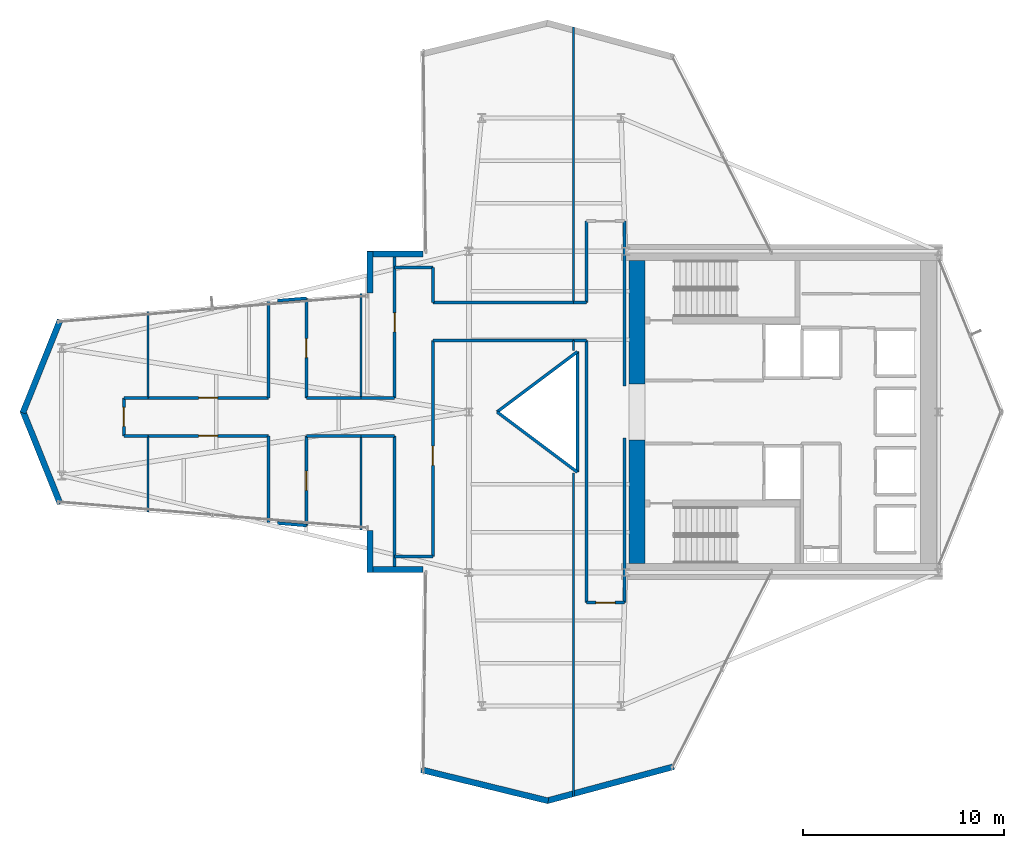
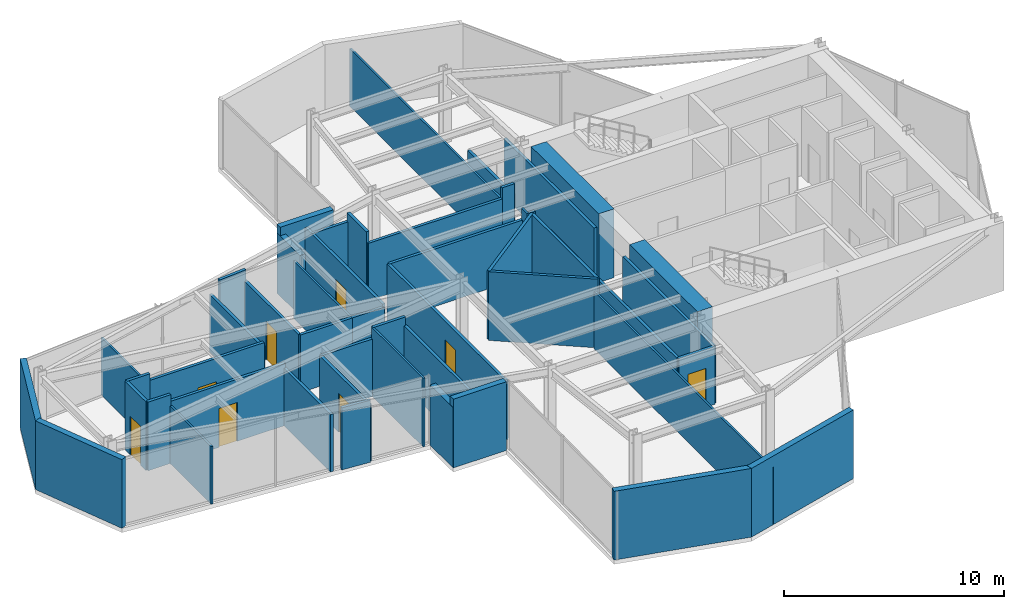
# One storey, part 23 of 26: 50 walls, 8 doors, 8 openings.
"""IFC4 building model written with IfcOpenShell, lengths in metres."""

import ifcopenshell
import ifcopenshell.guid

model = None  # the IFC model being written
_history = None  # IfcOwnerHistory: only IFC2X3 demands one
_inside = {}  # id of a spatial element -> (the spatial element, [elements in it])
_under = {}  # id of a project, library or spatial element -> (it, [spatial elements below it])
_declared = {}  # id of a project -> (the project, [libraries it declares])
_typed = {}  # id of a type object -> (the type object, [elements of that type])
_made_of = {}  # id of a material, layer set ... -> (it, [elements and type objects made of it])


def new_model(schema):
    """Start an empty IFC model of exactly this schema.

    Asked for "IFC4X3", IfcOpenShell would pick the latest addendum, in which some entities
    have other attributes; the version numbers below select the first issue.
    IFC2X3 requires an IfcOwnerHistory on every rooted entity: one is made here for all.
    """
    global model, _history
    if schema == "IFC4X3":
        model = ifcopenshell.file(schema_version=(4, 3, 0, 0))
    else:
        model = ifcopenshell.file(schema=schema)
    _inside.clear()
    _under.clear()
    _declared.clear()
    _typed.clear()
    _made_of.clear()
    _history = None
    if model.schema == "IFC2X3":
        org = make("IfcOrganization", Name="unknown")
        user = make(
            "IfcPersonAndOrganization",
            ThePerson=make("IfcPerson", FamilyName="unknown"),
            TheOrganization=org,
        )
        app = make(
            "IfcApplication",
            ApplicationDeveloper=org,
            Version="unknown",
            ApplicationFullName="unknown",
            ApplicationIdentifier="unknown",
        )
        _history = make(
            "IfcOwnerHistory",
            OwningUser=user,
            OwningApplication=app,
            ChangeAction="ADDED",
            CreationDate=0,
        )
    return model


def make(cls, **values):
    """One entity of the class cls with the attributes given. An attribute that is None is left unset."""
    return model.create_entity(
        cls, **{name: value for name, value in values.items() if value is not None}
    )


def rooted(cls, **values):
    """An entity with a GlobalId (a new one), such as an element, a storey or a relation."""
    return make(cls, GlobalId=ifcopenshell.guid.new(), OwnerHistory=_history, **values)


def si_unit(unit_type, name, prefix=None):
    """IfcSIUnit, for example si_unit("LENGTHUNIT", "METRE", prefix="MILLI")."""
    return make("IfcSIUnit", UnitType=unit_type, Prefix=prefix, Name=name)


def assignment(units):
    """IfcUnitAssignment: the units of a project."""
    return None if units is None else make("IfcUnitAssignment", Units=units)


def point(xyz):
    """IfcCartesianPoint."""
    return None if xyz is None else make("IfcCartesianPoint", Coordinates=xyz)


def direction(xyz):
    """IfcDirection."""
    return None if xyz is None else make("IfcDirection", DirectionRatios=xyz)


def frame(location, z_axis=None, x_axis=None):
    """IfcAxis2Placement3D, a coordinate frame: its origin and axes. An axis left out is left unset."""
    return make(
        "IfcAxis2Placement3D",
        Location=point(location),
        Axis=direction(z_axis),
        RefDirection=direction(x_axis),
    )


def frame_2d(location, x_axis=None):
    """IfcAxis2Placement2D, a coordinate frame in the plane: its origin and x axis."""
    return make(
        "IfcAxis2Placement2D", Location=point(location), RefDirection=direction(x_axis)
    )


def origin():
    """The frame at (0, 0, 0) with its axes left unset."""
    return frame((0.0, 0.0, 0.0))


def place(relative_to, where):
    """IfcLocalPlacement: puts the frame where relative to a parent placement (None: the world)."""
    return make(
        "IfcLocalPlacement", PlacementRelTo=relative_to, RelativePlacement=where
    )


def context(
    kind, dimensions, precision=None, world=None, true_north=None, identifier=None
):
    """IfcGeometricRepresentationContext, for example the 3D "Model" context."""
    return make(
        "IfcGeometricRepresentationContext",
        ContextIdentifier=identifier,
        ContextType=kind,
        CoordinateSpaceDimension=dimensions,
        Precision=precision,
        WorldCoordinateSystem=world,
        TrueNorth=true_north,
    )


def subcontext(parent, identifier, kind, view, scale=None):
    """IfcGeometricRepresentationSubContext, for example "Body" below "Model"."""
    return make(
        "IfcGeometricRepresentationSubContext",
        ContextIdentifier=identifier,
        ContextType=kind,
        ParentContext=parent,
        TargetScale=scale,
        TargetView=view,
    )


def project(units=None, contexts=None):
    """IfcProject with its units and contexts."""
    return rooted(
        "IfcProject",
        Name="project",
        RepresentationContexts=contexts,
        UnitsInContext=assignment(units),
    )


def spatial(cls, under=None, at=None, **own):
    """A site, building, storey or space (cls), placed at a placement, below another one or the project."""
    s = rooted(cls, ObjectPlacement=at, **own)
    if under is not None:
        _under.setdefault(under.id(), (under, []))[1].append(s)
    return s


def profile(cls, at=None, kind="AREA", **sizes):
    """A parametric profile (cls). Its sizes go by their IFC names, for example OverallWidth=200.0."""
    return make(cls, ProfileType=kind, Position=at, **sizes)


def rectangle(**sizes):
    """IfcRectangleProfileDef."""
    return profile("IfcRectangleProfileDef", **sizes)


def extrude(swept, where, along, depth):
    """IfcExtrudedAreaSolid: the profile swept, set in the frame where, extruded along a direction by depth."""
    return make(
        "IfcExtrudedAreaSolid",
        SweptArea=swept,
        Position=where,
        ExtrudedDirection=direction(along),
        Depth=depth,
    )


def shape(context_of_items, identifier, shape_type, items):
    """IfcShapeRepresentation: the items that make up one representation, for example the "Body"."""
    return make(
        "IfcShapeRepresentation",
        ContextOfItems=context_of_items,
        RepresentationIdentifier=identifier,
        RepresentationType=shape_type,
        Items=items,
    )


def material(Name=None, Category=None):
    """IfcMaterial."""
    return make("IfcMaterial", Name=Name, Category=Category)


def layer(
    of_material, thickness, ventilated=None, Name=None, Category=None, Priority=None
):
    """IfcMaterialLayer: one layer of a wall or slab, of a material (None: an air gap)."""
    return make(
        "IfcMaterialLayer",
        Material=of_material,
        LayerThickness=thickness,
        IsVentilated=ventilated,
        Name=Name,
        Category=Category,
        Priority=Priority,
    )


def layer_set(layers, Name=None):
    """IfcMaterialLayerSet."""
    return make("IfcMaterialLayerSet", MaterialLayers=layers, LayerSetName=Name)


def made_of(thing, what):
    """Note that an element or type object is made of a material, layer set ...; save() writes the relation."""
    if what is not None:
        _made_of.setdefault(what.id(), (what, []))[1].append(thing)
    return thing


def type_object(cls, material=None, **own):
    """A type object (cls), such as IfcWallType, which elements share."""
    return made_of(rooted(cls, **own), material)


def element(
    cls,
    number,
    at=None,
    inside=None,
    cuts=None,
    type_object=None,
    material=None,
    context=None,
    identifier="Body",
    shape_type=None,
    held_by="IfcProductDefinitionShape",
    body=None,
    shapes=None,
    **own,
):
    """One element of the class cls, such as IfcWall. Its Tag is "e" and its number.

    at: its placement. inside: the storey or other place that contains it. cuts: it is an
    opening in that element (IfcRelVoidsElement). A single representation is given by context,
    identifier, shape_type and body (its items); several are given by shapes. held_by: the class
    of the entity that holds the representations. save() writes the other relations.
    """
    e = rooted(cls, Tag="e%d" % number, ObjectPlacement=at, **own)
    if body is not None:
        shapes = [shape(context, identifier, shape_type, body)]
    if shapes is not None:
        e.Representation = make(held_by, Representations=shapes)
    if inside is not None:
        _inside.setdefault(inside.id(), (inside, []))[1].append(e)
    if cuts is not None:
        rooted(
            "IfcRelVoidsElement", RelatingBuildingElement=cuts, RelatedOpeningElement=e
        )
    if type_object is not None:
        _typed.setdefault(type_object.id(), (type_object, []))[1].append(e)
    return made_of(e, material)


def fill(opening, filler):
    """IfcRelFillsElement: the door or window that sits in an opening."""
    return rooted(
        "IfcRelFillsElement",
        RelatingOpeningElement=opening,
        RelatedBuildingElement=filler,
    )


def aggregate(whole, parts):
    """IfcRelAggregates: a whole, such as a stair, and the parts it consists of."""
    return rooted("IfcRelAggregates", RelatingObject=whole, RelatedObjects=parts)


def save(model, path):
    """Write the relations noted so far, then the file.

    IfcRelAggregates (storeys below a building ...), IfcRelContainedInSpatialStructure (elements
    in a storey), IfcRelDefinesByType, IfcRelAssociatesMaterial and IfcRelDeclares: one each for
    every whole, place, type object, material and project.
    """
    for whole, parts in _under.values():
        aggregate(whole, parts)
    for where, things in _inside.values():
        rooted(
            "IfcRelContainedInSpatialStructure",
            RelatedElements=things,
            RelatingStructure=where,
        )
    for kind, things in _typed.values():
        rooted("IfcRelDefinesByType", RelatedObjects=things, RelatingType=kind)
    for what, things in _made_of.values():
        rooted("IfcRelAssociatesMaterial", RelatedObjects=things, RelatingMaterial=what)
    for by, libraries in _declared.values():
        rooted("IfcRelDeclares", RelatingContext=by, RelatedDefinitions=libraries)
    model.write(path)


model = new_model("IFC4")

# Units and contexts
model_context = context("Model", 3, precision=1e-05, world=origin(), true_north=direction((0.0, 1.0)))
body_context = subcontext(model_context, "Body", "Model", "MODEL_VIEW")
ifc_project = project(units=[si_unit("LENGTHUNIT", "METRE"), si_unit("AREAUNIT", "SQUARE_METRE"), si_unit("VOLUMEUNIT", "CUBIC_METRE"), si_unit("PLANEANGLEUNIT", "RADIAN"), si_unit("MASSUNIT", "GRAM", prefix="KILO")], contexts=[model_context])

# Site, building, storey
site_placement = place(None, origin())
site = spatial("IfcSite", under=ifc_project, at=site_placement, CompositionType="ELEMENT")
building_placement = place(site_placement, origin())
building = spatial("IfcBuilding", under=site, at=building_placement, Name="Veymaron Broadcast Tower", CompositionType="ELEMENT")
storey_placement = place(building_placement, frame((0.0, 0.0, 133.050048828125)))
storey = spatial("IfcBuildingStorey", under=building, at=storey_placement, Name="L30", CompositionType="ELEMENT", Elevation=133.050048828125)

# Walls
ifc_material_1 = material(Name="Precast concrete C40/50 with mineral-wool insulation", Category="concrete")
ifc_layer_1 = layer(ifc_material_1, 0.300048828125)
ifc_layer_set_1 = layer_set([ifc_layer_1], Name="Precast concrete C40/50 with mineral-wool insulation")
wall_type_1 = type_object("IfcWallType", Name="WALL-EXT-300", PredefinedType="STANDARD", material=ifc_layer_set_1)
wall_1_placement = place(storey_placement, frame((28.910400390625, 31.860107421875, 0.0), z_axis=(0.0, 0.0, 1.0), x_axis=(-1.0, 0.0, 0.0)))
element("IfcWall", 1, at=wall_1_placement, inside=storey, type_object=wall_type_1, Name="L30 notched corner facade pier 9-1", PredefinedType="STANDARD", context=body_context, shape_type="SweptSolid", body=[
    extrude(rectangle(XDim=2.790283203125, YDim=0.300048828125, at=frame_2d((1.39501953125, 0.0))), origin(), (0.0, 0.0, 1.0), 3.81005859375),
])
wall_2_placement = place(storey_placement, frame((26.260009765625, 32.0, 0.0), z_axis=(0.0, 0.0, 1.0), x_axis=(0.0, -1.0, 0.0)))
element("IfcWall", 2, at=wall_2_placement, inside=storey, type_object=wall_type_1, Name="L30 notched corner facade pier 10-1", PredefinedType="STANDARD", context=body_context, shape_type="SweptSolid", body=[
    extrude(rectangle(XDim=2.085693359375, YDim=0.300048828125, at=frame_2d((1.04296875, 0.0))), origin(), (0.0, 0.0, 1.0), 3.337890625),
])
for number, where, z_axis, x_axis, name in (
    (3, (10.829833984375, 28.56982421875, 0.0), (0.0, 0.0, 1.0), (-0.373299289804, -0.927710968045, 0.0), "L30 notched corner facade pier 12-1"),
    (4, (8.969970703125, 24.05224609375, 0.0), (0.0, 0.0, 1.0), (0.373299289804, -0.927710968045, 0.0), "L30 notched corner facade pier 13-1"),
):
    element("IfcWall", number, at=place(storey_placement, frame(where, z_axis=z_axis, x_axis=x_axis)), inside=storey, type_object=wall_type_1, Name=name, PredefinedType="STANDARD", context=body_context, shape_type="SweptSolid", body=[
        extrude(rectangle(XDim=4.982177734375, YDim=0.300048828125, at=frame_2d((2.4912109375, 0.0))), origin(), (0.0, 0.0, 1.0), 3.81005859375),
    ])
wall_3_placement = place(storey_placement, frame((26.260009765625, 18.085693359375, 0.0), z_axis=(0.0, 0.0, 1.0), x_axis=(0.0, -1.0, 0.0)))
element("IfcWall", 5, at=wall_3_placement, inside=storey, type_object=wall_type_1, Name="L30 notched corner facade pier 15-1", PredefinedType="STANDARD", context=body_context, shape_type="SweptSolid", body=[
    extrude(rectangle(XDim=2.085693359375, YDim=0.300048828125, at=frame_2d((1.04296875, 0.0))), origin(), (0.0, 0.0, 1.0), 3.337890625),
])
wall_4_placement = place(storey_placement, frame((26.1201171875, 16.139892578125, 0.0), z_axis=(0.0, 0.0, 1.0), x_axis=(1.0, 0.0, 0.0)))
element("IfcWall", 6, at=wall_4_placement, inside=storey, type_object=wall_type_1, Name="L30 notched corner facade pier 16-1", PredefinedType="STANDARD", context=body_context, shape_type="SweptSolid", body=[
    extrude(rectangle(XDim=2.790283203125, YDim=0.300048828125, at=frame_2d((1.39501953125, 0.0))), origin(), (0.0, 0.0, 1.0), 3.81005859375),
])
wall_5_placement = place(storey_placement, frame((28.8232421875, 6.1708984375, 0.0), z_axis=(0.0, 0.0, 1.0), x_axis=(0.971267606245, -0.23798999361, 0.0)))
element("IfcWall", 7, at=wall_5_placement, inside=storey, type_object=wall_type_1, Name="L30 notched corner facade pier 18-1", PredefinedType="STANDARD", context=body_context, shape_type="SweptSolid", body=[
    extrude(rectangle(XDim=6.511962890625, YDim=0.300048828125, at=frame_2d((3.255859375, 0.0))), origin(), (0.0, 0.0, 1.0), 3.81005859375),
])
wall_6_placement = place(storey_placement, frame((35.07861328125, 4.6201171875, 0.0), z_axis=(0.0, 0.0, 1.0), x_axis=(0.965531145086, 0.260287548434, 0.0)))
element("IfcWall", 8, at=wall_6_placement, inside=storey, type_object=wall_type_1, Name="L30 notched corner facade pier 19-1", PredefinedType="STANDARD", context=body_context, shape_type="SweptSolid", body=[
    extrude(rectangle(XDim=6.55078125, YDim=0.300048828125, at=frame_2d((3.275390625, 0.0))), origin(), (0.0, 0.0, 1.0), 3.81005859375),
])

# Wall, opening, door
ifc_material_2 = material(Name="Gypsum fireboard and steel stud framing", Category="steel")
ifc_layer_2 = layer(ifc_material_2, 0.14990234375)
ifc_layer_set_2 = layer_set([ifc_layer_2], Name="Gypsum fireboard and steel stud framing")
wall_type_2 = type_object("IfcWallType", Name="WALL-FIRE-150", PredefinedType="PARTITIONING", material=ifc_layer_set_2)
wall_7_placement = place(storey_placement, frame((37.050048828125, 14.5, 0.0), z_axis=(0.0, 0.0, 1.0), x_axis=(1.0, 0.0, 0.0)))
wall_7 = element("IfcWall", 9, at=wall_7_placement, inside=storey, type_object=wall_type_2, Name="L30 partition IW-L30-P03", PredefinedType="PARTITIONING", context=body_context, shape_type="SweptSolid", body=[
    extrude(rectangle(XDim=1.89990234375, YDim=0.14990234375, at=frame_2d((0.949951171875, 0.0))), origin(), (0.0, 0.0, 1.0), 3.18994140625),
])
opening_1_placement = place(wall_7_placement, frame((0.47509765625, 0.0, 0.0)))
opening_1 = element("IfcOpeningElement", 10, at=opening_1_placement, cuts=wall_7, Name="Opening ID-RM1", PredefinedType="OPENING", context=body_context, shape_type="SweptSolid", body=[
    extrude(rectangle(XDim=0.949951171875, YDim=2.14990234375, at=frame_2d((0.47509765625, 1.074951171875))), frame((0.0, 0.0849609375, 0.0), z_axis=(0.0, -1.0, 0.0), x_axis=(1.0, 0.0, 0.0)), (0.0, 0.0, 1.0), 0.169921875),
])
ifc_material_3 = material(Name="Acoustic solid-core European oak veneer timber", Category="wood")
door_type = type_object("IfcDoorType", Name="DOOR-INT-950", OperationType="NOTDEFINED", PredefinedType="DOOR", material=ifc_material_3)
door_1_placement = place(opening_1_placement, frame((0.949951171875, 0.0, 0.0), z_axis=(0.0, 0.0, 1.0), x_axis=(-1.0, 0.0, 0.0)))
door_1 = element("IfcDoor", 11, at=door_1_placement, inside=storey, type_object=door_type, Name="L30 door DR-L30-P03", OperationType="SINGLE_SWING_RIGHT", OverallHeight=2.14990234375, OverallWidth=0.949951171875, PredefinedType="DOOR", context=body_context, shape_type="SweptSolid", body=[
    extrude(rectangle(XDim=0.949951171875, YDim=2.14990234375, at=frame_2d((0.47509765625, 1.074951171875))), frame((0.0, 0.02490234375, 0.0), z_axis=(0.0, -1.0, 0.0), x_axis=(1.0, 0.0, 0.0)), (0.0, 0.0, 1.0), 0.050048828125),
])
fill(opening_1, door_1)

wall_8_placement = place(storey_placement, frame((29.39990234375, 16.800048828125, 0.0), z_axis=(0.0, 0.0, 1.0), x_axis=(0.0, 1.0, 0.0)))
wall_8 = element("IfcWall", 12, at=wall_8_placement, inside=storey, type_object=wall_type_2, Name="L30 partition IW-L30-P05", PredefinedType="PARTITIONING", context=body_context, shape_type="SweptSolid", body=[
    extrude(rectangle(XDim=10.75, YDim=0.14990234375, at=frame_2d((5.375, 0.0))), origin(), (0.0, 0.0, 1.0), 3.18994140625),
])
opening_2_placement = place(wall_8_placement, frame((4.5400390625, 0.0, 0.0)))
opening_2 = element("IfcOpeningElement", 13, at=opening_2_placement, cuts=wall_8, Name="Opening ID-RM1", PredefinedType="OPENING", context=body_context, shape_type="SweptSolid", body=[
    extrude(rectangle(XDim=0.949951171875, YDim=2.14990234375, at=frame_2d((0.47509765625, 1.074951171875))), frame((0.0, 0.0849609375, 0.0), z_axis=(0.0, -1.0, 0.0), x_axis=(1.0, 0.0, 0.0)), (0.0, 0.0, 1.0), 0.169921875),
])
door_2_placement = place(opening_2_placement, frame((0.949951171875, 0.0, 0.0), z_axis=(0.0, 0.0, 1.0), x_axis=(-1.0, 0.0, 0.0)))
door_2 = element("IfcDoor", 14, at=door_2_placement, inside=storey, type_object=door_type, Name="L30 door DR-L30-P05", OperationType="SINGLE_SWING_RIGHT", OverallHeight=2.14990234375, OverallWidth=0.949951171875, PredefinedType="DOOR", context=body_context, shape_type="SweptSolid", body=[
    extrude(rectangle(XDim=0.949951171875, YDim=2.14990234375, at=frame_2d((0.47509765625, 1.074951171875))), frame((0.0, 0.02490234375, 0.0), z_axis=(0.0, -1.0, 0.0), x_axis=(1.0, 0.0, 0.0)), (0.0, 0.0, 1.0), 0.050048828125),
])
fill(opening_2, door_2)

wall_9_placement = place(storey_placement, frame((23.10009765625, 18.3388671875, 0.0), z_axis=(0.0, 0.0, 1.0), x_axis=(0.0, 1.0, 0.0)))
wall_9 = element("IfcWall", 15, at=wall_9_placement, inside=storey, type_object=wall_type_2, Name="L30 partition IW-L30-P10", PredefinedType="PARTITIONING", context=body_context, shape_type="SweptSolid", body=[
    extrude(rectangle(XDim=4.461181640625, YDim=0.14990234375, at=frame_2d((2.23046875, 0.0))), origin(), (0.0, 0.0, 1.0), 3.18994140625),
])
opening_3_placement = place(wall_9_placement, frame((1.755615234375, 0.0, 0.0)))
opening_3 = element("IfcOpeningElement", 16, at=opening_3_placement, cuts=wall_9, Name="Opening ID-RM1", PredefinedType="OPENING", context=body_context, shape_type="SweptSolid", body=[
    extrude(rectangle(XDim=0.949951171875, YDim=2.14990234375, at=frame_2d((0.47509765625, 1.074951171875))), frame((0.0, 0.0849609375, 0.0), z_axis=(0.0, -1.0, 0.0), x_axis=(1.0, 0.0, 0.0)), (0.0, 0.0, 1.0), 0.169921875),
])
door_3_placement = place(opening_3_placement, frame((0.949951171875, 0.0, 0.0), z_axis=(0.0, 0.0, 1.0), x_axis=(-1.0, 0.0, 0.0)))
door_3 = element("IfcDoor", 17, at=door_3_placement, inside=storey, type_object=door_type, Name="L30 door DR-L30-P10", OperationType="SINGLE_SWING_LEFT", OverallHeight=2.14990234375, OverallWidth=0.949951171875, PredefinedType="DOOR", context=body_context, shape_type="SweptSolid", body=[
    extrude(rectangle(XDim=0.949951171875, YDim=2.14990234375, at=frame_2d((0.47509765625, 1.074951171875))), frame((0.0, 0.02490234375, 0.0), z_axis=(0.0, -1.0, 0.0), x_axis=(1.0, 0.0, 0.0)), (0.0, 0.0, 1.0), 0.050048828125),
])
fill(opening_3, door_3)

wall_10_placement = place(storey_placement, frame((15.2041015625, 22.800048828125, 0.0), z_axis=(0.0, 0.0, 1.0), x_axis=(1.0, 0.0, 0.0)))
wall_10 = element("IfcWall", 18, at=wall_10_placement, inside=storey, type_object=wall_type_2, Name="L30 partition IW-L30-P13", PredefinedType="PARTITIONING", context=body_context, shape_type="SweptSolid", body=[
    extrude(rectangle(XDim=5.995849609375, YDim=0.14990234375, at=frame_2d((2.998046875, 0.0))), origin(), (0.0, 0.0, 1.0), 3.44287109375),
])
opening_4_placement = place(wall_10_placement, frame((2.52294921875, 0.0, 0.0)))
opening_4 = element("IfcOpeningElement", 19, at=opening_4_placement, cuts=wall_10, Name="Opening ID-RM1", PredefinedType="OPENING", context=body_context, shape_type="SweptSolid", body=[
    extrude(rectangle(XDim=0.949951171875, YDim=2.14990234375, at=frame_2d((0.47509765625, 1.074951171875))), frame((0.0, 0.0849609375, 0.0), z_axis=(0.0, -1.0, 0.0), x_axis=(1.0, 0.0, 0.0)), (0.0, 0.0, 1.0), 0.169921875),
])
door_4_placement = place(opening_4_placement, frame((0.949951171875, 0.0, 0.0), z_axis=(0.0, 0.0, 1.0), x_axis=(-1.0, 0.0, 0.0)))
door_4 = element("IfcDoor", 20, at=door_4_placement, inside=storey, type_object=door_type, Name="L30 door DR-L30-P13", OperationType="SINGLE_SWING_RIGHT", OverallHeight=2.14990234375, OverallWidth=0.949951171875, PredefinedType="DOOR", context=body_context, shape_type="SweptSolid", body=[
    extrude(rectangle(XDim=0.949951171875, YDim=2.14990234375, at=frame_2d((0.47509765625, 1.074951171875))), frame((0.0, 0.02490234375, 0.0), z_axis=(0.0, -1.0, 0.0), x_axis=(1.0, 0.0, 0.0)), (0.0, 0.0, 1.0), 0.050048828125),
])
fill(opening_4, door_4)

wall_11_placement = place(storey_placement, frame((14.0, 22.800048828125, 0.0), z_axis=(0.0, 0.0, 1.0), x_axis=(0.0, 1.0, 0.0)))
wall_11 = element("IfcWall", 21, at=wall_11_placement, inside=storey, type_object=wall_type_2, Name="L30 partition IW-L30-P15", PredefinedType="PARTITIONING", context=body_context, shape_type="SweptSolid", body=[
    extrude(rectangle(XDim=1.89990234375, YDim=0.14990234375, at=frame_2d((0.949951171875, 0.0))), origin(), (0.0, 0.0, 1.0), 3.81005859375),
])
opening_5_placement = place(wall_11_placement, frame((0.47509765625, 0.0, 0.0)))
opening_5 = element("IfcOpeningElement", 22, at=opening_5_placement, cuts=wall_11, Name="Opening ID-RM1", PredefinedType="OPENING", context=body_context, shape_type="SweptSolid", body=[
    extrude(rectangle(XDim=0.949951171875, YDim=2.14990234375, at=frame_2d((0.47509765625, 1.074951171875))), frame((0.0, 0.0849609375, 0.0), z_axis=(0.0, -1.0, 0.0), x_axis=(1.0, 0.0, 0.0)), (0.0, 0.0, 1.0), 0.169921875),
])
door_5_placement = place(opening_5_placement, origin())
door_5 = element("IfcDoor", 23, at=door_5_placement, inside=storey, type_object=door_type, Name="L30 door DR-L30-P15", OperationType="SINGLE_SWING_RIGHT", OverallHeight=2.14990234375, OverallWidth=0.949951171875, PredefinedType="DOOR", context=body_context, shape_type="SweptSolid", body=[
    extrude(rectangle(XDim=0.949951171875, YDim=2.14990234375, at=frame_2d((0.47509765625, 1.074951171875))), frame((0.0, 0.02490234375, 0.0), z_axis=(0.0, -1.0, 0.0), x_axis=(1.0, 0.0, 0.0)), (0.0, 0.0, 1.0), 0.050048828125),
])
fill(opening_5, door_5)

wall_12_placement = place(storey_placement, frame((15.2041015625, 24.699951171875, 0.0), z_axis=(0.0, 0.0, 1.0), x_axis=(1.0, 0.0, 0.0)))
wall_12 = element("IfcWall", 24, at=wall_12_placement, inside=storey, type_object=wall_type_2, Name="L30 partition IW-L30-P18", PredefinedType="PARTITIONING", context=body_context, shape_type="SweptSolid", body=[
    extrude(rectangle(XDim=5.995849609375, YDim=0.14990234375, at=frame_2d((2.998046875, 0.0))), origin(), (0.0, 0.0, 1.0), 3.44287109375),
])
opening_6_placement = place(wall_12_placement, frame((2.52294921875, 0.0, 0.0)))
opening_6 = element("IfcOpeningElement", 25, at=opening_6_placement, cuts=wall_12, Name="Opening ID-RM1", PredefinedType="OPENING", context=body_context, shape_type="SweptSolid", body=[
    extrude(rectangle(XDim=0.949951171875, YDim=2.14990234375, at=frame_2d((0.47509765625, 1.074951171875))), frame((0.0, 0.0849609375, 0.0), z_axis=(0.0, -1.0, 0.0), x_axis=(1.0, 0.0, 0.0)), (0.0, 0.0, 1.0), 0.169921875),
])
door_6_placement = place(opening_6_placement, origin())
door_6 = element("IfcDoor", 26, at=door_6_placement, inside=storey, type_object=door_type, Name="L30 door DR-L30-P18", OperationType="SINGLE_SWING_LEFT", OverallHeight=2.14990234375, OverallWidth=0.949951171875, PredefinedType="DOOR", context=body_context, shape_type="SweptSolid", body=[
    extrude(rectangle(XDim=0.949951171875, YDim=2.14990234375, at=frame_2d((0.47509765625, 1.074951171875))), frame((0.0, 0.02490234375, 0.0), z_axis=(0.0, -1.0, 0.0), x_axis=(1.0, 0.0, 0.0)), (0.0, 0.0, 1.0), 0.050048828125),
])
fill(opening_6, door_6)

wall_13_placement = place(storey_placement, frame((23.10009765625, 24.699951171875, 0.0), z_axis=(0.0, 0.0, 1.0), x_axis=(0.0, 1.0, 0.0)))
wall_13 = element("IfcWall", 27, at=wall_13_placement, inside=storey, type_object=wall_type_2, Name="L30 partition IW-L30-P20", PredefinedType="PARTITIONING", context=body_context, shape_type="SweptSolid", body=[
    extrude(rectangle(XDim=4.961181640625, YDim=0.14990234375, at=frame_2d((2.48046875, 0.0))), origin(), (0.0, 0.0, 1.0), 3.18994140625),
])
opening_7_placement = place(wall_13_placement, frame((2.005615234375, 0.0, 0.0)))
opening_7 = element("IfcOpeningElement", 28, at=opening_7_placement, cuts=wall_13, Name="Opening ID-RM1", PredefinedType="OPENING", context=body_context, shape_type="SweptSolid", body=[
    extrude(rectangle(XDim=0.949951171875, YDim=2.14990234375, at=frame_2d((0.47509765625, 1.074951171875))), frame((0.0, 0.0849609375, 0.0), z_axis=(0.0, -1.0, 0.0), x_axis=(1.0, 0.0, 0.0)), (0.0, 0.0, 1.0), 0.169921875),
])
door_7_placement = place(opening_7_placement, frame((0.949951171875, 0.0, 0.0), z_axis=(0.0, 0.0, 1.0), x_axis=(-1.0, 0.0, 0.0)))
door_7 = element("IfcDoor", 29, at=door_7_placement, inside=storey, type_object=door_type, Name="L30 door DR-L30-P20", OperationType="SINGLE_SWING_LEFT", OverallHeight=2.14990234375, OverallWidth=0.949951171875, PredefinedType="DOOR", context=body_context, shape_type="SweptSolid", body=[
    extrude(rectangle(XDim=0.949951171875, YDim=2.14990234375, at=frame_2d((0.47509765625, 1.074951171875))), frame((0.0, 0.02490234375, 0.0), z_axis=(0.0, -1.0, 0.0), x_axis=(1.0, 0.0, 0.0)), (0.0, 0.0, 1.0), 0.050048828125),
])
fill(opening_7, door_7)

wall_14_placement = place(storey_placement, frame((27.5, 24.699951171875, 0.0), z_axis=(0.0, 0.0, 1.0), x_axis=(0.0, 1.0, 0.0)))
wall_14 = element("IfcWall", 30, at=wall_14_placement, inside=storey, type_object=wall_type_2, Name="L30 partition IW-L30-P23", PredefinedType="PARTITIONING", context=body_context, shape_type="SweptSolid", body=[
    extrude(rectangle(XDim=7.16015625, YDim=0.14990234375, at=frame_2d((3.580078125, 0.0))), origin(), (0.0, 0.0, 1.0), 3.337890625),
])
opening_8_placement = place(wall_14_placement, frame((3.284912109375, 0.0, 0.0)))
opening_8 = element("IfcOpeningElement", 31, at=opening_8_placement, cuts=wall_14, Name="Opening ID-RM1", PredefinedType="OPENING", context=body_context, shape_type="SweptSolid", body=[
    extrude(rectangle(XDim=0.949951171875, YDim=2.14990234375, at=frame_2d((0.47509765625, 1.074951171875))), frame((0.0, 0.0849609375, 0.0), z_axis=(0.0, -1.0, 0.0), x_axis=(1.0, 0.0, 0.0)), (0.0, 0.0, 1.0), 0.169921875),
])
door_8_placement = place(opening_8_placement, origin())
door_8 = element("IfcDoor", 32, at=door_8_placement, inside=storey, type_object=door_type, Name="L30 door DR-L30-P23", OperationType="SINGLE_SWING_RIGHT", OverallHeight=2.14990234375, OverallWidth=0.949951171875, PredefinedType="DOOR", context=body_context, shape_type="SweptSolid", body=[
    extrude(rectangle(XDim=0.949951171875, YDim=2.14990234375, at=frame_2d((0.47509765625, 1.074951171875))), frame((0.0, 0.02490234375, 0.0), z_axis=(0.0, -1.0, 0.0), x_axis=(1.0, 0.0, 0.0)), (0.0, 0.0, 1.0), 0.050048828125),
])
fill(opening_8, door_8)

# Walls
wall_15_placement = place(storey_placement, frame((37.050048828125, 14.5, 0.0), z_axis=(0.0, 0.0, 1.0), x_axis=(0.0, 1.0, 0.0)))
element("IfcWall", 33, at=wall_15_placement, inside=storey, type_object=wall_type_2, Name="L30 partition IW-L30-P01", PredefinedType="PARTITIONING", context=body_context, shape_type="SweptSolid", body=[
    extrude(rectangle(XDim=13.050048828125, YDim=0.14990234375, at=frame_2d((6.52490234375, 0.0))), origin(), (0.0, 0.0, 1.0), 3.18994140625),
])
wall_16_placement = place(storey_placement, frame((38.949951171875, 14.5, 0.0), z_axis=(0.0, 0.0, 1.0), x_axis=(0.0, 1.0, 0.0)))
element("IfcWall", 34, at=wall_16_placement, inside=storey, type_object=wall_type_2, Name="L30 partition IW-L30-P02", PredefinedType="PARTITIONING", context=body_context, shape_type="SweptSolid", body=[
    extrude(rectangle(XDim=8.199951171875, YDim=0.14990234375, at=frame_2d((4.10009765625, 0.0))), origin(), (0.0, 0.0, 1.0), 3.18994140625),
])
wall_17_placement = place(storey_placement, frame((36.416015625, 27.550048828125, 0.0), z_axis=(0.0, 0.0, 1.0), x_axis=(1.0, 0.0, 0.0)))
element("IfcWall", 35, at=wall_17_placement, inside=storey, type_object=wall_type_2, Name="L30 partition IW-L30-P04", PredefinedType="PARTITIONING", context=body_context, shape_type="SweptSolid", body=[
    extrude(rectangle(XDim=0.634033203125, YDim=0.14990234375, at=frame_2d((0.31689453125, 0.0))), origin(), (0.0, 0.0, 1.0), 3.44287109375),
])
wall_18_placement = place(storey_placement, frame((29.39990234375, 27.550048828125, 0.0), z_axis=(0.0, 0.0, 1.0), x_axis=(1.0, 0.0, 0.0)))
element("IfcWall", 36, at=wall_18_placement, inside=storey, type_object=wall_type_2, Name="L30 partition IW-L30-P06", PredefinedType="PARTITIONING", context=body_context, shape_type="SweptSolid", body=[
    extrude(rectangle(XDim=7.01611328125, YDim=0.14990234375, at=frame_2d((3.508056640625, 0.0))), origin(), (0.0, 0.0, 1.0), 3.18994140625),
])
wall_19_placement = place(storey_placement, frame((27.5, 16.139892578125, 0.0), z_axis=(0.0, 0.0, 1.0), x_axis=(0.0, 1.0, 0.0)))
element("IfcWall", 37, at=wall_19_placement, inside=storey, type_object=wall_type_2, Name="L30 partition IW-L30-P07", PredefinedType="PARTITIONING", context=body_context, shape_type="SweptSolid", body=[
    extrude(rectangle(XDim=6.66015625, YDim=0.14990234375, at=frame_2d((3.330078125, 0.0))), origin(), (0.0, 0.0, 1.0), 3.337890625),
])
wall_20_placement = place(storey_placement, frame((27.5, 16.800048828125, 0.0), z_axis=(0.0, 0.0, 1.0), x_axis=(1.0, 0.0, 0.0)))
element("IfcWall", 38, at=wall_20_placement, inside=storey, type_object=wall_type_2, Name="L30 partition IW-L30-P08", PredefinedType="PARTITIONING", context=body_context, shape_type="SweptSolid", body=[
    extrude(rectangle(XDim=1.89990234375, YDim=0.14990234375, at=frame_2d((0.949951171875, 0.0))), origin(), (0.0, 0.0, 1.0), 3.337890625),
])
wall_21_placement = place(storey_placement, frame((25.81005859375, 22.800048828125, 0.0), z_axis=(0.0, 0.0, 1.0), x_axis=(1.0, 0.0, 0.0)))
element("IfcWall", 39, at=wall_21_placement, inside=storey, type_object=wall_type_2, Name="L30 partition IW-L30-P09", PredefinedType="PARTITIONING", context=body_context, shape_type="SweptSolid", body=[
    extrude(rectangle(XDim=1.68994140625, YDim=0.14990234375, at=frame_2d((0.844970703125, 0.0))), origin(), (0.0, 0.0, 1.0), 3.81005859375),
])
wall_22_placement = place(storey_placement, frame((23.10009765625, 22.800048828125, 0.0), z_axis=(0.0, 0.0, 1.0), x_axis=(1.0, 0.0, 0.0)))
element("IfcWall", 40, at=wall_22_placement, inside=storey, type_object=wall_type_2, Name="L30 partition IW-L30-P11", PredefinedType="PARTITIONING", context=body_context, shape_type="SweptSolid", body=[
    extrude(rectangle(XDim=2.7099609375, YDim=0.14990234375, at=frame_2d((1.35498046875, 0.0))), origin(), (0.0, 0.0, 1.0), 3.18994140625),
])
wall_23_placement = place(storey_placement, frame((21.65966796875, 18.459716796875, 0.0), z_axis=(0.0, 0.0, 1.0), x_axis=(0.996499008811, -0.083604577858, 0.0)))
element("IfcWall", 41, at=wall_23_placement, inside=storey, type_object=wall_type_2, Name="L30 partition IW-L30-P12", PredefinedType="PARTITIONING", context=body_context, shape_type="SweptSolid", body=[
    extrude(rectangle(XDim=1.445556640625, YDim=0.14990234375, at=frame_2d((0.72265625, 0.0))), origin(), (0.0, 0.0, 1.0), 3.44287109375),
])
wall_24_placement = place(storey_placement, frame((21.199951171875, 18.498046875, 0.0), z_axis=(0.0, 0.0, 1.0), x_axis=(0.0, 1.0, 0.0)))
element("IfcWall", 42, at=wall_24_placement, inside=storey, type_object=wall_type_2, Name="L30 partition IW-L30-P14", PredefinedType="PARTITIONING", context=body_context, shape_type="SweptSolid", body=[
    extrude(rectangle(XDim=4.302001953125, YDim=0.14990234375, at=frame_2d((2.15087890625, 0.0))), origin(), (0.0, 0.0, 1.0), 3.18994140625),
])
for number, where, z_axis, x_axis, name in (
    (43, (14.0, 22.800048828125, 0.0), (0.0, 0.0, 1.0), (1.0, 0.0, 0.0), "L30 partition IW-L30-P16"),
    (44, (14.0, 24.699951171875, 0.0), (0.0, 0.0, 1.0), (1.0, 0.0, 0.0), "L30 partition IW-L30-P17"),
):
    element("IfcWall", number, at=place(storey_placement, frame(where, z_axis=z_axis, x_axis=x_axis)), inside=storey, type_object=wall_type_2, Name=name, PredefinedType="PARTITIONING", context=body_context, shape_type="SweptSolid", body=[
        extrude(rectangle(XDim=1.2041015625, YDim=0.14990234375, at=frame_2d((0.60205078125, 0.0))), origin(), (0.0, 0.0, 1.0), 3.81005859375),
    ])
wall_25_placement = place(storey_placement, frame((21.199951171875, 24.699951171875, 0.0), z_axis=(0.0, 0.0, 1.0), x_axis=(0.0, 1.0, 0.0)))
element("IfcWall", 45, at=wall_25_placement, inside=storey, type_object=wall_type_2, Name="L30 partition IW-L30-P19", PredefinedType="PARTITIONING", context=body_context, shape_type="SweptSolid", body=[
    extrude(rectangle(XDim=4.802001953125, YDim=0.14990234375, at=frame_2d((2.40087890625, 0.0))), origin(), (0.0, 0.0, 1.0), 3.18994140625),
])
wall_26_placement = place(storey_placement, frame((23.10009765625, 24.699951171875, 0.0), z_axis=(0.0, 0.0, 1.0), x_axis=(1.0, 0.0, 0.0)))
element("IfcWall", 46, at=wall_26_placement, inside=storey, type_object=wall_type_2, Name="L30 partition IW-L30-P21", PredefinedType="PARTITIONING", context=body_context, shape_type="SweptSolid", body=[
    extrude(rectangle(XDim=2.7099609375, YDim=0.14990234375, at=frame_2d((1.35498046875, 0.0))), origin(), (0.0, 0.0, 1.0), 3.18994140625),
])
wall_27_placement = place(storey_placement, frame((21.65966796875, 29.540283203125, 0.0), z_axis=(0.0, 0.0, 1.0), x_axis=(0.996499008811, 0.083604577858, 0.0)))
element("IfcWall", 47, at=wall_27_placement, inside=storey, type_object=wall_type_2, Name="L30 partition IW-L30-P22", PredefinedType="PARTITIONING", context=body_context, shape_type="SweptSolid", body=[
    extrude(rectangle(XDim=1.445556640625, YDim=0.14990234375, at=frame_2d((0.72265625, 0.0))), origin(), (0.0, 0.0, 1.0), 3.81005859375),
])
wall_28_placement = place(storey_placement, frame((29.39990234375, 29.449951171875, 0.0), z_axis=(0.0, 0.0, 1.0), x_axis=(1.0, 0.0, 0.0)))
element("IfcWall", 48, at=wall_28_placement, inside=storey, type_object=wall_type_2, Name="L30 partition IW-L30-P24", PredefinedType="PARTITIONING", context=body_context, shape_type="SweptSolid", body=[
    extrude(rectangle(XDim=7.01611328125, YDim=0.14990234375, at=frame_2d((3.508056640625, 0.0))), origin(), (0.0, 0.0, 1.0), 3.18994140625),
])
wall_29_placement = place(storey_placement, frame((27.5, 31.199951171875, 0.0), z_axis=(0.0, 0.0, 1.0), x_axis=(1.0, 0.0, 0.0)))
element("IfcWall", 49, at=wall_29_placement, inside=storey, type_object=wall_type_2, Name="L30 partition IW-L30-P25", PredefinedType="PARTITIONING", context=body_context, shape_type="SweptSolid", body=[
    extrude(rectangle(XDim=1.89990234375, YDim=0.14990234375, at=frame_2d((0.949951171875, 0.0))), origin(), (0.0, 0.0, 1.0), 3.337890625),
])
wall_30_placement = place(storey_placement, frame((29.39990234375, 29.449951171875, 0.0), z_axis=(0.0, 0.0, 1.0), x_axis=(0.0, 1.0, 0.0)))
element("IfcWall", 50, at=wall_30_placement, inside=storey, type_object=wall_type_2, Name="L30 partition IW-L30-P26", PredefinedType="PARTITIONING", context=body_context, shape_type="SweptSolid", body=[
    extrude(rectangle(XDim=1.75, YDim=0.14990234375, at=frame_2d((0.875, 0.0))), origin(), (0.0, 0.0, 1.0), 3.81005859375),
])
wall_31_placement = place(storey_placement, frame((25.81005859375, 24.699951171875, 0.0), z_axis=(0.0, 0.0, 1.0), x_axis=(1.0, 0.0, 0.0)))
element("IfcWall", 51, at=wall_31_placement, inside=storey, type_object=wall_type_2, Name="L30 partition IW-L30-P27", PredefinedType="PARTITIONING", context=body_context, shape_type="SweptSolid", body=[
    extrude(rectangle(XDim=1.68994140625, YDim=0.14990234375, at=frame_2d((0.844970703125, 0.0))), origin(), (0.0, 0.0, 1.0), 3.18994140625),
])
wall_32_placement = place(storey_placement, frame((38.949951171875, 25.300048828125, 0.0), z_axis=(0.0, 0.0, 1.0), x_axis=(0.0, 1.0, 0.0)))
element("IfcWall", 52, at=wall_32_placement, inside=storey, type_object=wall_type_2, Name="L30 partition IW-L30-P28", PredefinedType="PARTITIONING", context=body_context, shape_type="SweptSolid", body=[
    extrude(rectangle(XDim=8.199951171875, YDim=0.14990234375, at=frame_2d((4.10009765625, 0.0))), origin(), (0.0, 0.0, 1.0), 3.18994140625),
])
wall_33_placement = place(storey_placement, frame((37.050048828125, 29.449951171875, 0.0), z_axis=(0.0, 0.0, 1.0), x_axis=(0.0, 1.0, 0.0)))
element("IfcWall", 53, at=wall_33_placement, inside=storey, type_object=wall_type_2, Name="L30 partition IW-L30-P29", PredefinedType="PARTITIONING", context=body_context, shape_type="SweptSolid", body=[
    extrude(rectangle(XDim=4.050048828125, YDim=0.14990234375, at=frame_2d((2.02490234375, 0.0))), origin(), (0.0, 0.0, 1.0), 3.18994140625),
])
wall_34_placement = place(storey_placement, frame((36.416015625, 29.449951171875, 0.0), z_axis=(0.0, 0.0, 1.0), x_axis=(1.0, 0.0, 0.0)))
element("IfcWall", 54, at=wall_34_placement, inside=storey, type_object=wall_type_2, Name="L30 partition IW-L30-P31", PredefinedType="PARTITIONING", context=body_context, shape_type="SweptSolid", body=[
    extrude(rectangle(XDim=0.634033203125, YDim=0.14990234375, at=frame_2d((0.31689453125, 0.0))), origin(), (0.0, 0.0, 1.0), 3.81005859375),
])
ifc_material_4 = material(Name="Fire-rated laminated glass in aluminium frame", Category="aluminium")
ifc_layer_3 = layer(ifc_material_4, 0.14990234375)
ifc_layer_set_3 = layer_set([ifc_layer_3], Name="Fire-rated laminated glass in aluminium frame")
wall_type_3 = type_object("IfcWallType", Name="WALL-GLZ-150", PredefinedType="MOVABLE", material=ifc_layer_set_3)
wall_35_placement = place(storey_placement, frame((32.60009765625, 24.0, 0.0), z_axis=(0.0, 0.0, 1.0), x_axis=(0.8, -0.6, 0.0)))
element("IfcWall", 55, at=wall_35_placement, inside=storey, type_object=wall_type_3, Name="L30 partition IW-L30-ATR1", PredefinedType="MOVABLE", context=body_context, shape_type="SweptSolid", body=[
    extrude(rectangle(XDim=5.0, YDim=0.14990234375, at=frame_2d((2.5, 0.0))), origin(), (0.0, 0.0, 1.0), 3.81005859375),
])
wall_36_placement = place(storey_placement, frame((36.60009765625, 21.0, 0.0), z_axis=(0.0, 0.0, 1.0), x_axis=(0.0, 1.0, 0.0)))
element("IfcWall", 56, at=wall_36_placement, inside=storey, type_object=wall_type_3, Name="L30 partition IW-L30-ATR2", PredefinedType="MOVABLE", context=body_context, shape_type="SweptSolid", body=[
    extrude(rectangle(XDim=6.0, YDim=0.14990234375, at=frame_2d((3.0, 0.0))), origin(), (0.0, 0.0, 1.0), 3.81005859375),
])
wall_37_placement = place(storey_placement, frame((36.60009765625, 27.0, 0.0), z_axis=(0.0, 0.0, 1.0), x_axis=(-0.8, -0.6, 0.0)))
element("IfcWall", 57, at=wall_37_placement, inside=storey, type_object=wall_type_3, Name="L30 partition IW-L30-ATR3", PredefinedType="MOVABLE", context=body_context, shape_type="SweptSolid", body=[
    extrude(rectangle(XDim=5.0, YDim=0.14990234375, at=frame_2d((2.5, 0.0))), origin(), (0.0, 0.0, 1.0), 3.81005859375),
])
ifc_material_5 = material(Name="Acoustic gypsum board and galvanized stud", Category="gypsum")
ifc_layer_4 = layer(ifc_material_5, 0.10009765625)
ifc_layer_set_4 = layer_set([ifc_layer_4], Name="Acoustic gypsum board and galvanized stud")
wall_type_4 = type_object("IfcWallType", Name="WALL-PART-100", PredefinedType="PARTITIONING", material=ifc_layer_set_4)
wall_38_placement = place(storey_placement, frame((36.416015625, 4.835693359375, 0.0), z_axis=(0.0, 0.0, 1.0), x_axis=(0.0, 1.0, 0.0)))
element("IfcWall", 58, at=wall_38_placement, inside=storey, type_object=wall_type_4, Name="L30 partition IW-L30-P32", PredefinedType="PARTITIONING", context=body_context, shape_type="SweptSolid", body=[
    extrude(rectangle(XDim=16.11474609375, YDim=0.10009765625, at=frame_2d((8.057373046875, 0.0))), origin(), (0.0, 0.0, 1.0), 3.18994140625),
])
wall_39_placement = place(storey_placement, frame((36.416015625, 27.049560546875, 0.0), z_axis=(0.0, 0.0, 1.0), x_axis=(0.0, 1.0, 0.0)))
element("IfcWall", 59, at=wall_39_placement, inside=storey, type_object=wall_type_4, Name="L30 partition IW-L30-P33", PredefinedType="PARTITIONING", context=body_context, shape_type="SweptSolid", body=[
    extrude(rectangle(XDim=0.50048828125, YDim=0.10009765625, at=frame_2d((0.250244140625, 0.0))), origin(), (0.0, 0.0, 1.0), 3.81005859375),
])
wall_40_placement = place(storey_placement, frame((25.81005859375, 18.11181640625, 0.0), z_axis=(0.0, 0.0, 1.0), x_axis=(0.0, 1.0, 0.0)))
element("IfcWall", 60, at=wall_40_placement, inside=storey, type_object=wall_type_4, Name="L30 partition IW-L30-P34", PredefinedType="PARTITIONING", context=body_context, shape_type="SweptSolid", body=[
    extrude(rectangle(XDim=4.688232421875, YDim=0.10009765625, at=frame_2d((2.34423828125, 0.0))), origin(), (0.0, 0.0, 1.0), 3.81005859375),
])
wall_41_placement = place(storey_placement, frame((15.2041015625, 19.00048828125, 0.0), z_axis=(0.0, 0.0, 1.0), x_axis=(0.0, 1.0, 0.0)))
element("IfcWall", 61, at=wall_41_placement, inside=storey, type_object=wall_type_4, Name="L30 partition IW-L30-P35", PredefinedType="PARTITIONING", context=body_context, shape_type="SweptSolid", body=[
    extrude(rectangle(XDim=3.799560546875, YDim=0.10009765625, at=frame_2d((1.89990234375, 0.0))), origin(), (0.0, 0.0, 1.0), 3.18994140625),
])
wall_42_placement = place(storey_placement, frame((15.2041015625, 24.699951171875, 0.0), z_axis=(0.0, 0.0, 1.0), x_axis=(0.0, 1.0, 0.0)))
element("IfcWall", 62, at=wall_42_placement, inside=storey, type_object=wall_type_4, Name="L30 partition IW-L30-P36", PredefinedType="PARTITIONING", context=body_context, shape_type="SweptSolid", body=[
    extrude(rectangle(XDim=4.299560546875, YDim=0.10009765625, at=frame_2d((2.14990234375, 0.0))), origin(), (0.0, 0.0, 1.0), 3.18994140625),
])
wall_43_placement = place(storey_placement, frame((25.81005859375, 24.699951171875, 0.0), z_axis=(0.0, 0.0, 1.0), x_axis=(0.0, 1.0, 0.0)))
element("IfcWall", 63, at=wall_43_placement, inside=storey, type_object=wall_type_4, Name="L30 partition IW-L30-P37", PredefinedType="PARTITIONING", context=body_context, shape_type="SweptSolid", body=[
    extrude(rectangle(XDim=5.188232421875, YDim=0.10009765625, at=frame_2d((2.59423828125, 0.0))), origin(), (0.0, 0.0, 1.0), 3.18994140625),
])
wall_44_placement = place(storey_placement, frame((36.416015625, 29.449951171875, 0.0), z_axis=(0.0, 0.0, 1.0), x_axis=(0.0, 1.0, 0.0)))
element("IfcWall", 64, at=wall_44_placement, inside=storey, type_object=wall_type_4, Name="L30 partition IW-L30-P38", PredefinedType="PARTITIONING", context=body_context, shape_type="SweptSolid", body=[
    extrude(rectangle(XDim=13.71435546875, YDim=0.10009765625, at=frame_2d((6.857177734375, 0.0))), origin(), (0.0, 0.0, 1.0), 3.18994140625),
])
ifc_material_6 = material(Name="Concrete C60/75", Category="concrete")
ifc_layer_5 = layer(ifc_material_6, 0.800048828125)
ifc_layer_set_5 = layer_set([ifc_layer_5], Name="Concrete C60/75")
wall_type_5 = type_object("IfcWallType", Name="WALL-SHEAR-800", PredefinedType="SHEAR", material=ifc_layer_set_5)
for number, where, z_axis, x_axis, name in (
    (65, (39.580078125, 16.449951171875, 0.0), (0.0, 0.0, 1.0), (0.0, 1.0, 0.0), "L30 Core Wall west-south shear"),
    (66, (39.580078125, 25.39990234375, 0.0), (0.0, 0.0, 1.0), (0.0, 1.0, 0.0), "L30 Core Wall west-north shear"),
):
    element("IfcWall", number, at=place(storey_placement, frame(where, z_axis=z_axis, x_axis=x_axis)), inside=storey, type_object=wall_type_5, Name=name, PredefinedType="SHEAR", context=body_context, shape_type="SweptSolid", body=[
        extrude(rectangle(XDim=6.150146484375, YDim=0.800048828125, at=frame_2d((3.0751953125, 0.0))), origin(), (0.0, 0.0, 1.0), 3.81005859375),
    ])

save(model, "model.ifc")
